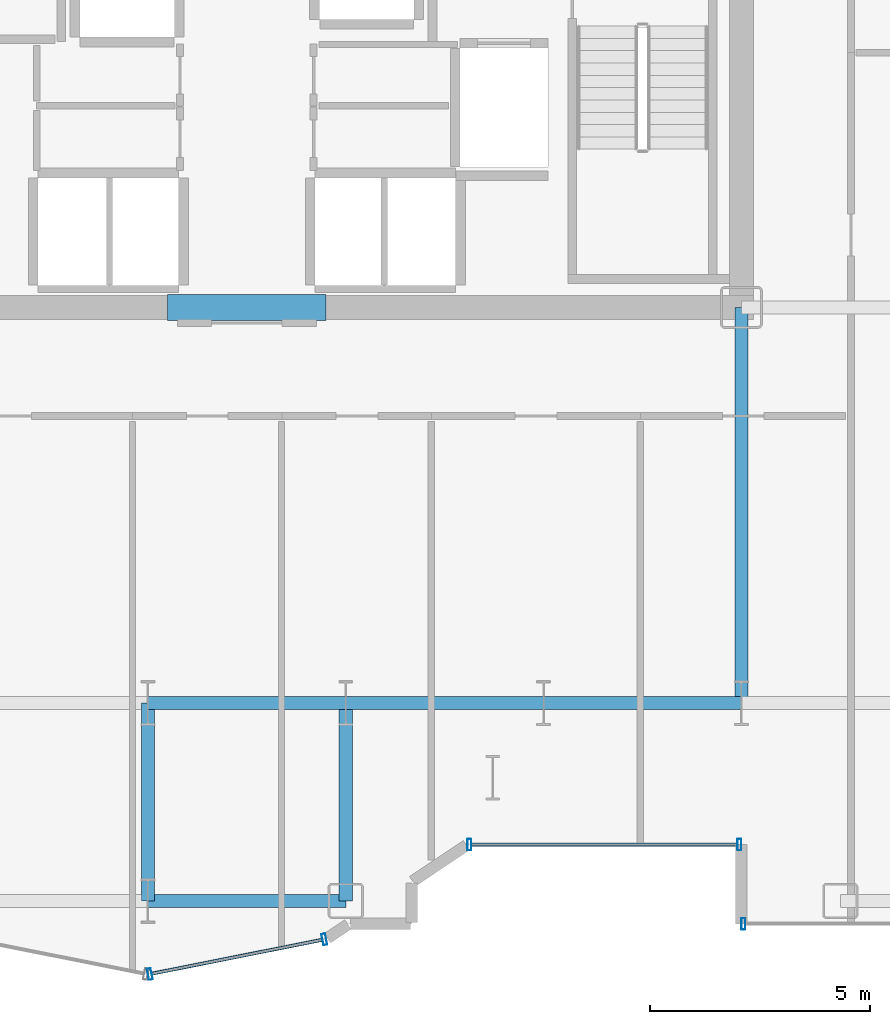
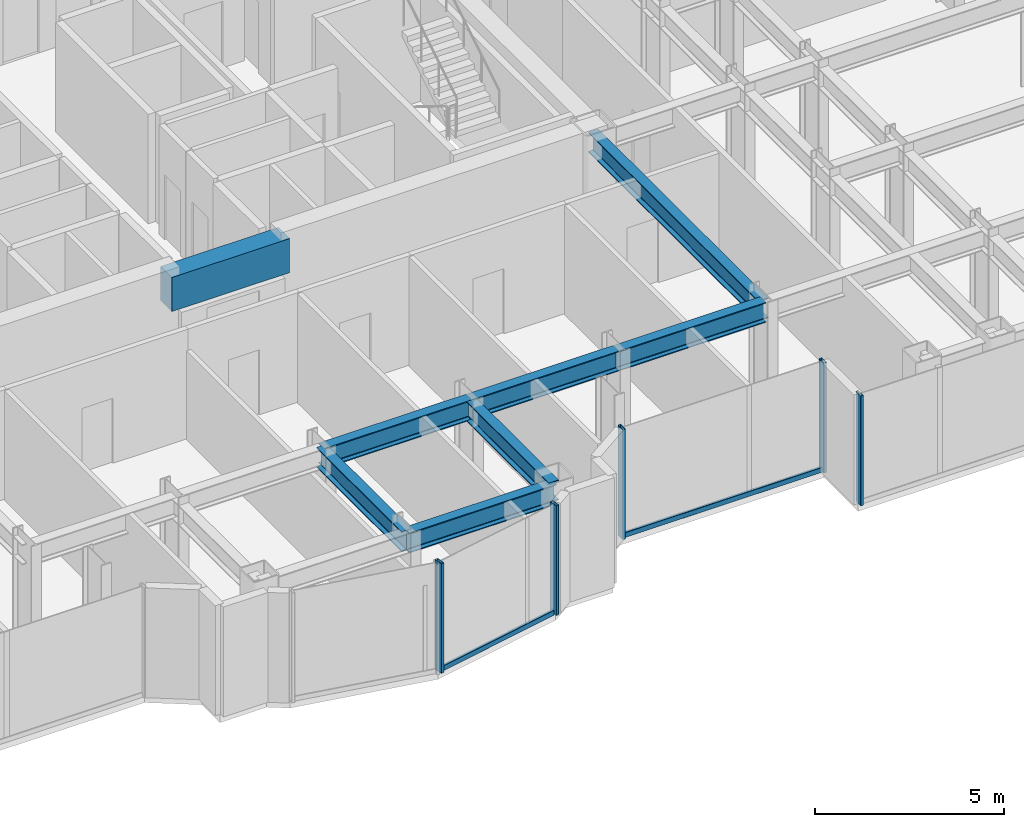
# One storey, part 6 of 25: 8 beams, 7 members, 3 elements without a shape of their own.
"""IFC4 building model written with IfcOpenShell, lengths in metres."""

from ifc_helpers import new_model, si_unit, direction, frame, origin, origin_2d, place, context, subcontext, project, spatial, rectangle, hollow_rectangle, i_section, extrude, source, transform, mapped, material, layer, layer_set, material_profile, profile_set, type_object, element, aggregate, save


model = new_model("IFC4")

# Units and contexts
model_context = context("Model", 3, precision=1e-05, world=origin(), true_north=direction((0.0, 1.0)))
body_context = subcontext(model_context, "Body", "Model", "MODEL_VIEW")
ifc_project = project(units=[si_unit("LENGTHUNIT", "METRE"), si_unit("AREAUNIT", "SQUARE_METRE"), si_unit("VOLUMEUNIT", "CUBIC_METRE"), si_unit("PLANEANGLEUNIT", "RADIAN"), si_unit("MASSUNIT", "GRAM", prefix="KILO")], contexts=[model_context])

# Site, building, storey
site_placement = place(None, origin())
site = spatial("IfcSite", under=ifc_project, at=site_placement, CompositionType="ELEMENT")
building_placement = place(site_placement, origin())
building = spatial("IfcBuilding", under=site, at=building_placement, Name="Nefas-Gora Pilgrimage Tower", CompositionType="ELEMENT")
storey_placement = place(building_placement, frame((0.0, 0.0, 109.800048828125)))
storey = spatial("IfcBuildingStorey", under=building, at=storey_placement, Name="L26", CompositionType="ELEMENT", Elevation=109.800048828125)

# Beams
ifc_material_1 = material(Name="Concrete C60/75", Category="concrete")
ifc_material_profile_1 = material_profile(ifc_material_1, rectangle(XDim=0.60009765625, YDim=1.10009765625, at=origin_2d()), Name="RC 600x1100")
ifc_profile_set_1 = profile_set([ifc_material_profile_1], Name="Concrete C60/75")
beam_type_1 = type_object("IfcBeamType", Name="BM-LIN-RC1100", PredefinedType="LINTEL", material=ifc_profile_set_1)
shared_shape_1 = source(origin(), body_context, "Body", "SweptSolid", [
    extrude(rectangle(XDim=0.60009765625, YDim=1.10009765625, at=origin_2d()), origin(), (0.0, 0.0, 1.0), 3.60009765625),
])
beam_1_placement = place(storey_placement, frame((-1.800048828125, -9.0, 3.0), z_axis=(1.0, 0.0, 0.0), x_axis=(0.0, 1.0, 0.0)))
element("IfcBeam", 1, at=beam_1_placement, inside=storey, type_object=beam_type_1, Name="L26 Core Coupling Lintel Beam S", PredefinedType="LINTEL", context=body_context, shape_type="MappedRepresentation", body=[
    mapped(shared_shape_1, transform((0.0, 0.0, 0.0), x_axis=(1.0, 0.0, 0.0), y_axis=(0.0, 1.0, 0.0), z_axis=(0.0, 0.0, 1.0), scale=1.0)),
])
ifc_material_2 = material(Name="Steel S355", Category="steel")
ifc_material_profile_2 = material_profile(ifc_material_2, i_section(OverallWidth=0.300048828125, OverallDepth=0.64990234375, WebThickness=0.01611328125, FlangeThickness=0.031005859375, FilletRadius=0.027099609375, at=origin_2d()), Name="HEB 650")
ifc_profile_set_2 = profile_set([ifc_material_profile_2], Name="Steel S355")
beam_type_2 = type_object("IfcBeamType", Name="BM-GIR-HEB650", PredefinedType="BEAM", material=ifc_profile_set_2)
shared_shape_2 = source(origin(), body_context, "Body", "SweptSolid", [
    extrude(i_section(OverallWidth=0.300048828125, OverallDepth=0.64990234375, WebThickness=0.01611328125, FlangeThickness=0.031005859375, FilletRadius=0.027099609375, at=origin_2d()), origin(), (0.0, 0.0, 1.0), 9.0),
])
beam_2_placement = place(storey_placement, frame((11.25, -18.0, 3.224853515625), z_axis=(0.0, 1.0, 0.0), x_axis=(-1.0, 0.0, 0.0)))
element("IfcBeam", 2, at=beam_2_placement, inside=storey, type_object=beam_type_2, Name="L26 G-03 beam", PredefinedType="BEAM", context=body_context, shape_type="MappedRepresentation", body=[
    mapped(shared_shape_2, transform((0.0, 0.0, 0.0), x_axis=(1.0, 0.0, 0.0), y_axis=(0.0, 1.0, 0.0), z_axis=(0.0, 0.0, 1.0), scale=1.0)),
])
shared_shape_3 = source(origin(), body_context, "Body", "SweptSolid", [
    extrude(i_section(OverallWidth=0.300048828125, OverallDepth=0.64990234375, WebThickness=0.01611328125, FlangeThickness=0.031005859375, FilletRadius=0.027099609375, at=origin_2d()), origin(), (0.0, 0.0, 1.0), 4.5),
])
for number, where, z_axis, x_axis, name in (
    (3, (-2.25, -22.5, 3.224853515625), (0.0, 1.0, 0.0), (-1.0, 0.0, 0.0), "L26 G-03 beam"),
    (4, (-2.25, -22.5, 3.224853515625), (1.0, 0.0, 0.0), (0.0, 1.0, 0.0), "L26 G-03 beam"),
    (5, (-2.25, -18.0, 3.224853515625), (1.0, 0.0, 0.0), (0.0, 1.0, 0.0), "L26 G-03 beam"),
    (6, (2.25, -22.5, 3.224853515625), (0.0, 1.0, 0.0), (-1.0, 0.0, 0.0), "L26 G-03 beam"),
    (7, (2.25, -18.0, 3.224853515625), (1.0, 0.0, 0.0), (0.0, 1.0, 0.0), "L26 G-03 beam"),
    (8, (6.75, -18.0, 3.224853515625), (1.0, 0.0, 0.0), (0.0, 1.0, 0.0), "L26 G-03 beam"),
):
    element("IfcBeam", number, at=place(storey_placement, frame(where, z_axis=z_axis, x_axis=x_axis)), inside=storey, type_object=beam_type_2, Name=name, PredefinedType="BEAM", context=body_context, shape_type="MappedRepresentation", body=[
        mapped(shared_shape_3, transform((0.0, 0.0, 0.0), x_axis=(1.0, 0.0, 0.0), y_axis=(0.0, 1.0, 0.0), z_axis=(0.0, 0.0, 1.0), scale=1.0)),
    ])

# Curtain wall, members
ifc_material_3 = material(Name="Dark ceramic-fritted solar-control aluminium-glass curtain wall", Category="aluminium")
ifc_layer_1 = layer(ifc_material_3, 0.219970703125)
ifc_layer_set_1 = layer_set([ifc_layer_1], Name="Dark ceramic-fritted solar-control aluminium-glass curtain wall")
curtain_wall_type_1 = type_object("IfcCurtainWallType", Name="CW-SYS-5", PredefinedType="NOTDEFINED", material=ifc_layer_set_1)
curtain_wall_1_placement = place(storey_placement, origin())
curtain_wall_1 = element("IfcCurtainWall", 9, at=curtain_wall_1_placement, inside=storey, type_object=curtain_wall_type_1, Name="L26 Unitised Curtain Wall CW5", PredefinedType="NOTDEFINED")
ifc_material_4 = material(Name="Anodised architectural aluminium", Category="aluminium")
ifc_material_profile_3 = material_profile(ifc_material_4, hollow_rectangle(XDim=0.090087890625, YDim=0.260009765625, WallThickness=0.006103515625, InnerFilletRadius=0.006103515625, OuterFilletRadius=0.011962890625, at=origin_2d()), Name="ALU MULLION 90x260")
ifc_profile_set_3 = profile_set([ifc_material_profile_3], Name="Anodised architectural aluminium")
member_type_1 = type_object("IfcMemberType", Name="CWM-MUL-5", PredefinedType="MULLION", material=ifc_profile_set_3)
shared_shape_4 = source(origin(), body_context, "Body", "SweptSolid", [
    extrude(hollow_rectangle(XDim=0.090087890625, YDim=0.260009765625, WallThickness=0.006103515625, InnerFilletRadius=0.006103515625, OuterFilletRadius=0.011962890625, at=origin_2d()), origin(), (0.0, 0.0, 1.0), 3.550048828125),
])
member_1_placement = place(storey_placement, frame((5.06298828125, -21.219970703125, 0.0), z_axis=(0.0, 0.0, 1.0), x_axis=(1.0, 0.0, 0.0)))
member_1 = element("IfcMember", 10, at=member_1_placement, type_object=member_type_1, Name="CW5 Mullion 1", PredefinedType="MULLION", context=body_context, shape_type="MappedRepresentation", body=[
    mapped(shared_shape_4, transform((0.0, 0.0, 0.0), x_axis=(1.0, 0.0, 0.0), y_axis=(0.0, 1.0, 0.0), z_axis=(0.0, 0.0, 1.0), scale=1.0)),
])
member_2_placement = place(storey_placement, frame((11.205078125, -21.219970703125, 0.0), z_axis=(0.0, 0.0, 1.0), x_axis=(1.0, 0.0, 0.0)))
member_2 = element("IfcMember", 11, at=member_2_placement, type_object=member_type_1, Name="CW5 Mullion 2", PredefinedType="MULLION", context=body_context, shape_type="MappedRepresentation", body=[
    mapped(shared_shape_4, transform((0.0, 0.0, 0.0), x_axis=(1.0, 0.0, 0.0), y_axis=(0.0, 1.0, 0.0), z_axis=(0.0, 0.0, 1.0), scale=1.0)),
])

curtain_wall_2_placement = place(storey_placement, origin())
curtain_wall_2 = element("IfcCurtainWall", 12, at=curtain_wall_2_placement, inside=storey, type_object=curtain_wall_type_1, Name="L26 Unitised Curtain Wall CW5", PredefinedType="NOTDEFINED")
member_3_placement = place(storey_placement, frame((-2.205810546875, -24.16357421875, 0.0), z_axis=(0.0, 0.0, 1.0), x_axis=(0.980782896852, 0.195102304554, 0.0)))
member_3 = element("IfcMember", 13, at=member_3_placement, type_object=member_type_1, Name="CW5 Mullion 1", PredefinedType="MULLION", context=body_context, shape_type="MappedRepresentation", body=[
    mapped(shared_shape_4, transform((0.0, 0.0, 0.0), x_axis=(1.0, 0.0, 0.0), y_axis=(0.0, 1.0, 0.0), z_axis=(0.0, 0.0, 1.0), scale=1.0)),
])
member_4_placement = place(storey_placement, frame((1.76318359375, -23.3740234375, 0.0), z_axis=(0.0, 0.0, 1.0), x_axis=(0.980782896852, 0.195102304554, 0.0)))
member_4 = element("IfcMember", 14, at=member_4_placement, type_object=member_type_1, Name="CW5 Mullion 2", PredefinedType="MULLION", context=body_context, shape_type="MappedRepresentation", body=[
    mapped(shared_shape_4, transform((0.0, 0.0, 0.0), x_axis=(1.0, 0.0, 0.0), y_axis=(0.0, 1.0, 0.0), z_axis=(0.0, 0.0, 1.0), scale=1.0)),
])

# Member
ifc_material_profile_4 = material_profile(ifc_material_4, hollow_rectangle(XDim=0.080078125, YDim=0.159912109375, WallThickness=0.00439453125, InnerFilletRadius=0.00439453125, OuterFilletRadius=0.009033203125, at=origin_2d()), Name="ALU TRANSOM 80x160")
ifc_profile_set_4 = profile_set([ifc_material_profile_4], Name="Anodised architectural aluminium")
member_type_2 = type_object("IfcMemberType", Name="CWM-TRN-5", PredefinedType="USERDEFINED", material=ifc_profile_set_4)
shared_shape_5 = source(origin(), body_context, "Body", "SweptSolid", [
    extrude(hollow_rectangle(XDim=0.080078125, YDim=0.159912109375, WallThickness=0.00439453125, InnerFilletRadius=0.00439453125, OuterFilletRadius=0.009033203125, at=origin_2d()), origin(), (0.0, 0.0, 1.0), 6.052001953125),
])
member_5_placement = place(storey_placement, frame((5.10791015625, -21.219970703125, 0.050048828125), z_axis=(1.0, 0.0, 0.0), x_axis=(0.0, 1.0, 0.0)))
member_5 = element("IfcMember", 15, at=member_5_placement, type_object=member_type_2, Name="CW5 Spandrel Transom", ObjectType="TRANSOM", PredefinedType="USERDEFINED", context=body_context, shape_type="MappedRepresentation", body=[
    mapped(shared_shape_5, transform((0.0, 0.0, 0.0), x_axis=(1.0, 0.0, 0.0), y_axis=(0.0, 1.0, 0.0), z_axis=(0.0, 0.0, 1.0), scale=1.0)),
])

aggregate(curtain_wall_1, [member_1, member_2, member_5])

# Curtain wall, member
ifc_layer_2 = layer(ifc_material_3, 0.219970703125)
ifc_layer_set_2 = layer_set([ifc_layer_2], Name="Dark ceramic-fritted solar-control aluminium-glass curtain wall")
curtain_wall_type_2 = type_object("IfcCurtainWallType", Name="CW-SYS-2", PredefinedType="NOTDEFINED", material=ifc_layer_set_2)
curtain_wall_3_placement = place(storey_placement, origin())
curtain_wall_3 = element("IfcCurtainWall", 16, at=curtain_wall_3_placement, inside=storey, type_object=curtain_wall_type_2, Name="L26 Unitised Curtain Wall CW2", PredefinedType="NOTDEFINED")
ifc_material_profile_5 = material_profile(ifc_material_4, hollow_rectangle(XDim=0.090087890625, YDim=0.260009765625, WallThickness=0.006103515625, InnerFilletRadius=0.006103515625, OuterFilletRadius=0.011962890625, at=origin_2d()), Name="ALU MULLION 90x260")
ifc_profile_set_5 = profile_set([ifc_material_profile_5], Name="Anodised architectural aluminium")
member_type_3 = type_object("IfcMemberType", Name="CWM-MUL-2", PredefinedType="MULLION", material=ifc_profile_set_5)
shared_shape_6 = source(origin(), body_context, "Body", "SweptSolid", [
    extrude(hollow_rectangle(XDim=0.090087890625, YDim=0.260009765625, WallThickness=0.006103515625, InnerFilletRadius=0.006103515625, OuterFilletRadius=0.011962890625, at=origin_2d()), origin(), (0.0, 0.0, 1.0), 3.550048828125),
])
member_6_placement = place(storey_placement, frame((11.294921875, -23.02001953125, 0.0), z_axis=(0.0, 0.0, 1.0), x_axis=(1.0, 0.0, 0.0)))
member_6 = element("IfcMember", 17, at=member_6_placement, type_object=member_type_3, Name="CW2 Mullion 1", PredefinedType="MULLION", context=body_context, shape_type="MappedRepresentation", body=[
    mapped(shared_shape_6, transform((0.0, 0.0, 0.0), x_axis=(1.0, 0.0, 0.0), y_axis=(0.0, 1.0, 0.0), z_axis=(0.0, 0.0, 1.0), scale=1.0)),
])
aggregate(curtain_wall_3, [member_6])

# Member
shared_shape_7 = source(origin(), body_context, "Body", "SweptSolid", [
    extrude(hollow_rectangle(XDim=0.080078125, YDim=0.159912109375, WallThickness=0.00439453125, InnerFilletRadius=0.00439453125, OuterFilletRadius=0.009033203125, at=origin_2d()), origin(), (0.0, 0.0, 1.0), 3.95654296875),
])
member_7_placement = place(storey_placement, frame((-2.16162109375, -24.15478515625, 0.050048828125), z_axis=(0.980781880918, 0.195107411605, 0.0), x_axis=(-0.195107411605, 0.980781880918, 0.0)))
member_7 = element("IfcMember", 18, at=member_7_placement, type_object=member_type_2, Name="CW5 Spandrel Transom", ObjectType="TRANSOM", PredefinedType="USERDEFINED", context=body_context, shape_type="MappedRepresentation", body=[
    mapped(shared_shape_7, transform((0.0, 0.0, 0.0), x_axis=(1.0, 0.0, 0.0), y_axis=(0.0, 1.0, 0.0), z_axis=(0.0, 0.0, 1.0), scale=1.0)),
])

aggregate(curtain_wall_2, [member_3, member_4, member_7])

save(model, "model.ifc")
